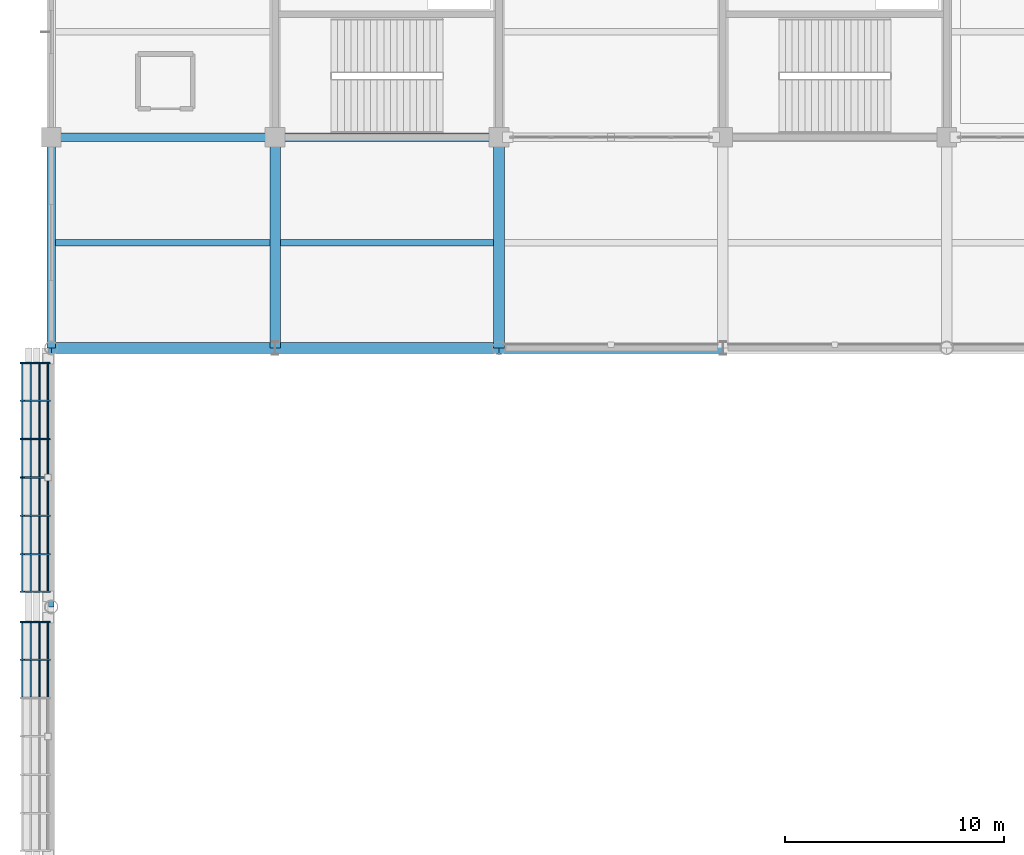
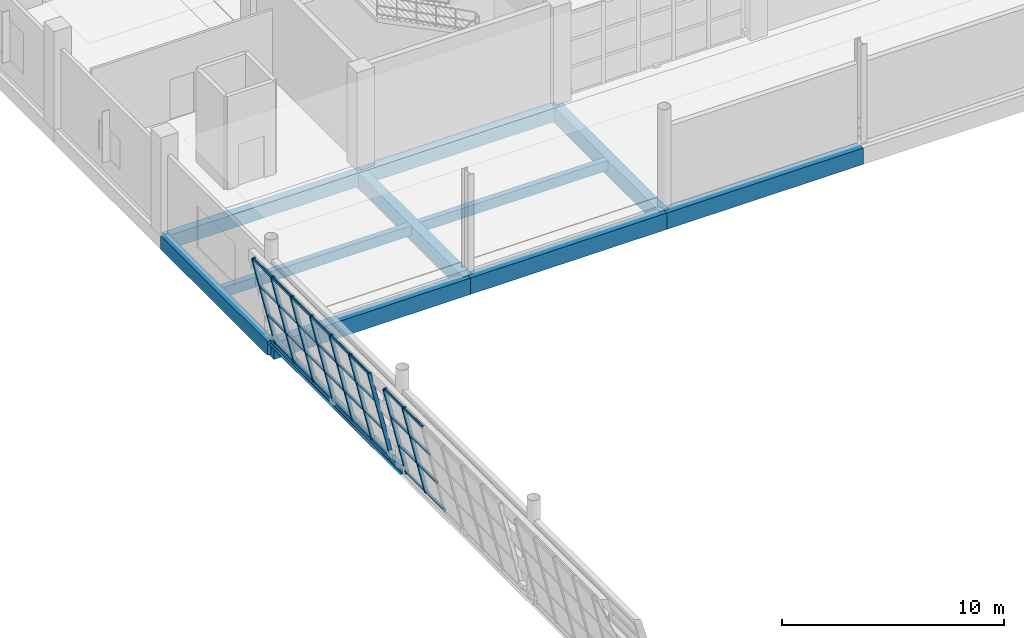
# One storey, part 33 of 175: 41 members, 11 beams, 2 elements without a shape of their own.
"""IFC4 building model written with IfcOpenShell, lengths in metres."""

from ifc_helpers import new_model, si_unit, direction, frame, origin, origin_2d, place, context, subcontext, project, spatial, rectangle, hollow_rectangle, i_section, extrude, material, material_profile, profile_set, type_object, element, aggregate, save


model = new_model("IFC4")

# Units and contexts
model_context = context("Model", 3, precision=1e-05, world=origin(), true_north=direction((0.0, 1.0)))
body_context = subcontext(model_context, "Body", "Model", "MODEL_VIEW")
ifc_project = project(units=[si_unit("LENGTHUNIT", "METRE"), si_unit("AREAUNIT", "SQUARE_METRE"), si_unit("VOLUMEUNIT", "CUBIC_METRE"), si_unit("PLANEANGLEUNIT", "RADIAN"), si_unit("MASSUNIT", "GRAM", prefix="KILO")], contexts=[model_context])

# Site, building, storey
site_placement = place(None, origin())
site = spatial("IfcSite", under=ifc_project, at=site_placement, CompositionType="ELEMENT")
building_placement = place(site_placement, origin())
building = spatial("IfcBuilding", under=site, at=building_placement, Name="Brelvane Convention Centre", CompositionType="ELEMENT")
storey_placement = place(building_placement, frame((0.0, 0.0, 5.39990234375)))
storey = spatial("IfcBuildingStorey", under=building, at=storey_placement, Name="L01", CompositionType="ELEMENT", Elevation=5.39990234375)

# Curtain wall, members
ifc_material_1 = material(Name="Anodised Aluminium Alloy 6063-T6", Category="aluminium")
curtain_wall_type = type_object("IfcCurtainWallType", Name="Curtain Wall CW-HULL-S", PredefinedType="USERDEFINED", material=ifc_material_1)
curtain_wall_1_placement = place(storey_placement, origin())
curtain_wall_1 = element("IfcCurtainWall", 1, at=curtain_wall_1_placement, inside=storey, type_object=curtain_wall_type, Name="Curtain Wall CW-HULL-S L01-HULL-W-L01-5", ObjectType="UNITISED", PredefinedType="USERDEFINED")
ifc_material_2 = material(Name="Anodised Aluminium Alloy 6063-T6", Category="aluminium")
ifc_material_profile_1 = material_profile(ifc_material_2, hollow_rectangle(XDim=0.074951171875, YDim=0.199951171875, WallThickness=0.0048828125, InnerFilletRadius=0.0048828125, OuterFilletRadius=0.010009765625, at=origin_2d()), Name="ALU-M 200x75x5.0")
ifc_profile_set_1 = profile_set([ifc_material_profile_1], Name="Anodised Aluminium Alloy 6063-T6")
member_type_1 = type_object("IfcMemberType", Name="Curtain Mullion CW-M2", PredefinedType="MULLION", material=ifc_profile_set_1)
member_1_placement = place(storey_placement, frame((-0.139892578125, 85.39990234375, 0.02001953125), z_axis=(-0.228384734386, 0.0, 0.973570959458), x_axis=(0.0, -1.0, 0.0)))
member_1 = element("IfcMember", 2, at=member_1_placement, type_object=member_type_1, Name="CW-HULL-S mullion 6", PredefinedType="MULLION", context=body_context, shape_type="SweptSolid", body=[
    extrude(hollow_rectangle(XDim=0.074951171875, YDim=0.199951171875, WallThickness=0.0048828125, InnerFilletRadius=0.0048828125, OuterFilletRadius=0.010009765625, at=origin_2d()), origin(), (0.0, 0.0, 1.0), 5.197509765625),
])
member_2_placement = place(storey_placement, frame((-0.139892578125, 87.112548828125, 0.02001953125), z_axis=(-0.228384734386, 0.0, 0.973570959458), x_axis=(0.0, -1.0, 0.0)))
member_2 = element("IfcMember", 3, at=member_2_placement, type_object=member_type_1, Name="CW-HULL-S mullion 7", PredefinedType="MULLION", context=body_context, shape_type="SweptSolid", body=[
    extrude(hollow_rectangle(XDim=0.074951171875, YDim=0.199951171875, WallThickness=0.0048828125, InnerFilletRadius=0.0048828125, OuterFilletRadius=0.010009765625, at=origin_2d()), origin(), (0.0, 0.0, 1.0), 5.197509765625),
])

curtain_wall_2_placement = place(storey_placement, origin())
curtain_wall_2 = element("IfcCurtainWall", 4, at=curtain_wall_2_placement, inside=storey, type_object=curtain_wall_type, Name="Curtain Wall CW-HULL-S L01-HULL-W-L01-6", ObjectType="UNITISED", PredefinedType="USERDEFINED")
member_3_placement = place(storey_placement, frame((-0.139892578125, 88.487548828125, 0.02001953125), z_axis=(-0.228384734386, 0.0, 0.973570959458), x_axis=(0.0, -1.0, 0.0)))
member_3 = element("IfcMember", 5, at=member_3_placement, type_object=member_type_1, Name="CW-HULL-S mullion 1", PredefinedType="MULLION", context=body_context, shape_type="SweptSolid", body=[
    extrude(hollow_rectangle(XDim=0.074951171875, YDim=0.199951171875, WallThickness=0.0048828125, InnerFilletRadius=0.0048828125, OuterFilletRadius=0.010009765625, at=origin_2d()), origin(), (0.0, 0.0, 1.0), 5.197509765625),
])
member_4_placement = place(storey_placement, frame((-0.139892578125, 90.199951171875, 0.02001953125), z_axis=(-0.228384734386, 0.0, 0.973570959458), x_axis=(0.0, -1.0, 0.0)))
member_4 = element("IfcMember", 6, at=member_4_placement, type_object=member_type_1, Name="CW-HULL-S mullion 2", PredefinedType="MULLION", context=body_context, shape_type="SweptSolid", body=[
    extrude(hollow_rectangle(XDim=0.074951171875, YDim=0.199951171875, WallThickness=0.0048828125, InnerFilletRadius=0.0048828125, OuterFilletRadius=0.010009765625, at=origin_2d()), origin(), (0.0, 0.0, 1.0), 5.197509765625),
])
member_5_placement = place(storey_placement, frame((-0.139892578125, 91.949951171875, 0.02001953125), z_axis=(-0.228384734386, 0.0, 0.973570959458), x_axis=(0.0, -1.0, 0.0)))
member_5 = element("IfcMember", 7, at=member_5_placement, type_object=member_type_1, Name="CW-HULL-S mullion 3", PredefinedType="MULLION", context=body_context, shape_type="SweptSolid", body=[
    extrude(hollow_rectangle(XDim=0.074951171875, YDim=0.199951171875, WallThickness=0.0048828125, InnerFilletRadius=0.0048828125, OuterFilletRadius=0.010009765625, at=origin_2d()), origin(), (0.0, 0.0, 1.0), 5.197509765625),
])
member_6_placement = place(storey_placement, frame((-0.139892578125, 93.699951171875, 0.02001953125), z_axis=(-0.228384734386, 0.0, 0.973570959458), x_axis=(0.0, -1.0, 0.0)))
member_6 = element("IfcMember", 8, at=member_6_placement, type_object=member_type_1, Name="CW-HULL-S mullion 4", PredefinedType="MULLION", context=body_context, shape_type="SweptSolid", body=[
    extrude(hollow_rectangle(XDim=0.074951171875, YDim=0.199951171875, WallThickness=0.0048828125, InnerFilletRadius=0.0048828125, OuterFilletRadius=0.010009765625, at=origin_2d()), origin(), (0.0, 0.0, 1.0), 5.197509765625),
])
member_7_placement = place(storey_placement, frame((-0.139892578125, 95.449951171875, 0.02001953125), z_axis=(-0.228384734386, 0.0, 0.973570959458), x_axis=(0.0, -1.0, 0.0)))
member_7 = element("IfcMember", 9, at=member_7_placement, type_object=member_type_1, Name="CW-HULL-S mullion 5", PredefinedType="MULLION", context=body_context, shape_type="SweptSolid", body=[
    extrude(hollow_rectangle(XDim=0.074951171875, YDim=0.199951171875, WallThickness=0.0048828125, InnerFilletRadius=0.0048828125, OuterFilletRadius=0.010009765625, at=origin_2d()), origin(), (0.0, 0.0, 1.0), 5.197509765625),
])
member_8_placement = place(storey_placement, frame((-0.139892578125, 97.199951171875, 0.02001953125), z_axis=(-0.228384734386, 0.0, 0.973570959458), x_axis=(0.0, -1.0, 0.0)))
member_8 = element("IfcMember", 10, at=member_8_placement, type_object=member_type_1, Name="CW-HULL-S mullion 6", PredefinedType="MULLION", context=body_context, shape_type="SweptSolid", body=[
    extrude(hollow_rectangle(XDim=0.074951171875, YDim=0.199951171875, WallThickness=0.0048828125, InnerFilletRadius=0.0048828125, OuterFilletRadius=0.010009765625, at=origin_2d()), origin(), (0.0, 0.0, 1.0), 5.197509765625),
])
member_9_placement = place(storey_placement, frame((-0.139892578125, 98.91259765625, 0.02001953125), z_axis=(-0.228384734386, 0.0, 0.973570959458), x_axis=(0.0, -1.0, 0.0)))
member_9 = element("IfcMember", 11, at=member_9_placement, type_object=member_type_1, Name="CW-HULL-S mullion 7", PredefinedType="MULLION", context=body_context, shape_type="SweptSolid", body=[
    extrude(hollow_rectangle(XDim=0.074951171875, YDim=0.199951171875, WallThickness=0.0048828125, InnerFilletRadius=0.0048828125, OuterFilletRadius=0.010009765625, at=origin_2d()), origin(), (0.0, 0.0, 1.0), 5.197509765625),
])

# Member
ifc_material_3 = material(Name="Anodised Aluminium Alloy 6063-T6", Category="aluminium")
ifc_material_profile_2 = material_profile(ifc_material_3, hollow_rectangle(XDim=0.070068359375, YDim=0.14990234375, WallThickness=0.00439453125, InnerFilletRadius=0.00439453125, OuterFilletRadius=0.009033203125, at=origin_2d()), Name="ALU-T 150x70x4.5")
ifc_profile_set_2 = profile_set([ifc_material_profile_2], Name="Anodised Aluminium Alloy 6063-T6")
member_type_2 = type_object("IfcMemberType", Name="Curtain Transom CW-T2", PredefinedType="USERDEFINED", material=ifc_profile_set_2)
member_10_placement = place(storey_placement, frame((-0.148193359375, 83.6875, 0.05517578125), z_axis=(0.0, 1.0, 0.0), x_axis=(-1.0, 0.0, 0.0)))
member_10 = element("IfcMember", 12, at=member_10_placement, type_object=member_type_2, Name="CW-HULL-S transom 5.1", ObjectType="TRANSOM", PredefinedType="USERDEFINED", context=body_context, shape_type="SweptSolid", body=[
    extrude(hollow_rectangle(XDim=0.070068359375, YDim=0.14990234375, WallThickness=0.00439453125, InnerFilletRadius=0.00439453125, OuterFilletRadius=0.009033203125, at=origin_2d()), origin(), (0.0, 0.0, 1.0), 1.675048828125),
])

member_11_placement = place(storey_placement, frame((-0.53564453125, 83.6875, 1.706787109375), z_axis=(0.0, 1.0, 0.0), x_axis=(-1.0, 0.0, 0.0)))
member_11 = element("IfcMember", 13, at=member_11_placement, type_object=member_type_2, Name="CW-HULL-S transom 5.2", ObjectType="TRANSOM", PredefinedType="USERDEFINED", context=body_context, shape_type="SweptSolid", body=[
    extrude(hollow_rectangle(XDim=0.070068359375, YDim=0.14990234375, WallThickness=0.00439453125, InnerFilletRadius=0.00439453125, OuterFilletRadius=0.009033203125, at=origin_2d()), origin(), (0.0, 0.0, 1.0), 1.675048828125),
])

member_12_placement = place(storey_placement, frame((-0.93115234375, 83.6875, 3.393310546875), z_axis=(0.0, 1.0, 0.0), x_axis=(-1.0, 0.0, 0.0)))
member_12 = element("IfcMember", 14, at=member_12_placement, type_object=member_type_2, Name="CW-HULL-S transom 5.3", ObjectType="TRANSOM", PredefinedType="USERDEFINED", context=body_context, shape_type="SweptSolid", body=[
    extrude(hollow_rectangle(XDim=0.070068359375, YDim=0.14990234375, WallThickness=0.00439453125, InnerFilletRadius=0.00439453125, OuterFilletRadius=0.009033203125, at=origin_2d()), origin(), (0.0, 0.0, 1.0), 1.675048828125),
])

member_13_placement = place(storey_placement, frame((-1.318603515625, 83.6875, 5.045166015625), z_axis=(0.0, 1.0, 0.0), x_axis=(-1.0, 0.0, 0.0)))
member_13 = element("IfcMember", 15, at=member_13_placement, type_object=member_type_2, Name="CW-HULL-S transom 5.4", ObjectType="TRANSOM", PredefinedType="USERDEFINED", context=body_context, shape_type="SweptSolid", body=[
    extrude(hollow_rectangle(XDim=0.070068359375, YDim=0.14990234375, WallThickness=0.00439453125, InnerFilletRadius=0.00439453125, OuterFilletRadius=0.009033203125, at=origin_2d()), origin(), (0.0, 0.0, 1.0), 1.675048828125),
])

member_14_placement = place(storey_placement, frame((-0.148193359375, 85.4375, 0.05517578125), z_axis=(0.0, 1.0, 0.0), x_axis=(-1.0, 0.0, 0.0)))
member_14 = element("IfcMember", 16, at=member_14_placement, type_object=member_type_2, Name="CW-HULL-S transom 6.1", ObjectType="TRANSOM", PredefinedType="USERDEFINED", context=body_context, shape_type="SweptSolid", body=[
    extrude(hollow_rectangle(XDim=0.070068359375, YDim=0.14990234375, WallThickness=0.00439453125, InnerFilletRadius=0.00439453125, OuterFilletRadius=0.009033203125, at=origin_2d()), origin(), (0.0, 0.0, 1.0), 1.637451171875),
])

member_15_placement = place(storey_placement, frame((-0.53564453125, 85.4375, 1.706787109375), z_axis=(0.0, 1.0, 0.0), x_axis=(-1.0, 0.0, 0.0)))
member_15 = element("IfcMember", 17, at=member_15_placement, type_object=member_type_2, Name="CW-HULL-S transom 6.2", ObjectType="TRANSOM", PredefinedType="USERDEFINED", context=body_context, shape_type="SweptSolid", body=[
    extrude(hollow_rectangle(XDim=0.070068359375, YDim=0.14990234375, WallThickness=0.00439453125, InnerFilletRadius=0.00439453125, OuterFilletRadius=0.009033203125, at=origin_2d()), origin(), (0.0, 0.0, 1.0), 1.637451171875),
])

member_16_placement = place(storey_placement, frame((-0.93115234375, 85.4375, 3.393310546875), z_axis=(0.0, 1.0, 0.0), x_axis=(-1.0, 0.0, 0.0)))
member_16 = element("IfcMember", 18, at=member_16_placement, type_object=member_type_2, Name="CW-HULL-S transom 6.3", ObjectType="TRANSOM", PredefinedType="USERDEFINED", context=body_context, shape_type="SweptSolid", body=[
    extrude(hollow_rectangle(XDim=0.070068359375, YDim=0.14990234375, WallThickness=0.00439453125, InnerFilletRadius=0.00439453125, OuterFilletRadius=0.009033203125, at=origin_2d()), origin(), (0.0, 0.0, 1.0), 1.637451171875),
])

member_17_placement = place(storey_placement, frame((-1.318603515625, 85.4375, 5.045166015625), z_axis=(0.0, 1.0, 0.0), x_axis=(-1.0, 0.0, 0.0)))
member_17 = element("IfcMember", 19, at=member_17_placement, type_object=member_type_2, Name="CW-HULL-S transom 6.4", ObjectType="TRANSOM", PredefinedType="USERDEFINED", context=body_context, shape_type="SweptSolid", body=[
    extrude(hollow_rectangle(XDim=0.070068359375, YDim=0.14990234375, WallThickness=0.00439453125, InnerFilletRadius=0.00439453125, OuterFilletRadius=0.009033203125, at=origin_2d()), origin(), (0.0, 0.0, 1.0), 1.637451171875),
])

aggregate(curtain_wall_1, [member_1, member_2, member_10, member_11, member_12, member_13, member_14, member_15, member_16, member_17])

member_18_placement = place(storey_placement, frame((-0.148193359375, 88.52490234375, 0.05517578125), z_axis=(0.0, 1.0, 0.0), x_axis=(-1.0, 0.0, 0.0)))
member_18 = element("IfcMember", 20, at=member_18_placement, type_object=member_type_2, Name="CW-HULL-S transom 1.1", ObjectType="TRANSOM", PredefinedType="USERDEFINED", context=body_context, shape_type="SweptSolid", body=[
    extrude(hollow_rectangle(XDim=0.070068359375, YDim=0.14990234375, WallThickness=0.00439453125, InnerFilletRadius=0.00439453125, OuterFilletRadius=0.009033203125, at=origin_2d()), origin(), (0.0, 0.0, 1.0), 1.6376953125),
])

member_19_placement = place(storey_placement, frame((-0.53564453125, 88.52490234375, 1.706787109375), z_axis=(0.0, 1.0, 0.0), x_axis=(-1.0, 0.0, 0.0)))
member_19 = element("IfcMember", 21, at=member_19_placement, type_object=member_type_2, Name="CW-HULL-S transom 1.2", ObjectType="TRANSOM", PredefinedType="USERDEFINED", context=body_context, shape_type="SweptSolid", body=[
    extrude(hollow_rectangle(XDim=0.070068359375, YDim=0.14990234375, WallThickness=0.00439453125, InnerFilletRadius=0.00439453125, OuterFilletRadius=0.009033203125, at=origin_2d()), origin(), (0.0, 0.0, 1.0), 1.6376953125),
])

member_20_placement = place(storey_placement, frame((-0.93115234375, 88.52490234375, 3.393310546875), z_axis=(0.0, 1.0, 0.0), x_axis=(-1.0, 0.0, 0.0)))
member_20 = element("IfcMember", 22, at=member_20_placement, type_object=member_type_2, Name="CW-HULL-S transom 1.3", ObjectType="TRANSOM", PredefinedType="USERDEFINED", context=body_context, shape_type="SweptSolid", body=[
    extrude(hollow_rectangle(XDim=0.070068359375, YDim=0.14990234375, WallThickness=0.00439453125, InnerFilletRadius=0.00439453125, OuterFilletRadius=0.009033203125, at=origin_2d()), origin(), (0.0, 0.0, 1.0), 1.6376953125),
])

member_21_placement = place(storey_placement, frame((-1.318603515625, 88.52490234375, 5.045166015625), z_axis=(0.0, 1.0, 0.0), x_axis=(-1.0, 0.0, 0.0)))
member_21 = element("IfcMember", 23, at=member_21_placement, type_object=member_type_2, Name="CW-HULL-S transom 1.4", ObjectType="TRANSOM", PredefinedType="USERDEFINED", context=body_context, shape_type="SweptSolid", body=[
    extrude(hollow_rectangle(XDim=0.070068359375, YDim=0.14990234375, WallThickness=0.00439453125, InnerFilletRadius=0.00439453125, OuterFilletRadius=0.009033203125, at=origin_2d()), origin(), (0.0, 0.0, 1.0), 1.6376953125),
])

member_22_placement = place(storey_placement, frame((-0.148193359375, 90.237548828125, 0.05517578125), z_axis=(0.0, 1.0, 0.0), x_axis=(-1.0, 0.0, 0.0)))
member_22 = element("IfcMember", 24, at=member_22_placement, type_object=member_type_2, Name="CW-HULL-S transom 2.1", ObjectType="TRANSOM", PredefinedType="USERDEFINED", context=body_context, shape_type="SweptSolid", body=[
    extrude(hollow_rectangle(XDim=0.070068359375, YDim=0.14990234375, WallThickness=0.00439453125, InnerFilletRadius=0.00439453125, OuterFilletRadius=0.009033203125, at=origin_2d()), origin(), (0.0, 0.0, 1.0), 1.675048828125),
])

member_23_placement = place(storey_placement, frame((-0.53564453125, 90.237548828125, 1.706787109375), z_axis=(0.0, 1.0, 0.0), x_axis=(-1.0, 0.0, 0.0)))
member_23 = element("IfcMember", 25, at=member_23_placement, type_object=member_type_2, Name="CW-HULL-S transom 2.2", ObjectType="TRANSOM", PredefinedType="USERDEFINED", context=body_context, shape_type="SweptSolid", body=[
    extrude(hollow_rectangle(XDim=0.070068359375, YDim=0.14990234375, WallThickness=0.00439453125, InnerFilletRadius=0.00439453125, OuterFilletRadius=0.009033203125, at=origin_2d()), origin(), (0.0, 0.0, 1.0), 1.675048828125),
])

member_24_placement = place(storey_placement, frame((-0.93115234375, 90.237548828125, 3.393310546875), z_axis=(0.0, 1.0, 0.0), x_axis=(-1.0, 0.0, 0.0)))
member_24 = element("IfcMember", 26, at=member_24_placement, type_object=member_type_2, Name="CW-HULL-S transom 2.3", ObjectType="TRANSOM", PredefinedType="USERDEFINED", context=body_context, shape_type="SweptSolid", body=[
    extrude(hollow_rectangle(XDim=0.070068359375, YDim=0.14990234375, WallThickness=0.00439453125, InnerFilletRadius=0.00439453125, OuterFilletRadius=0.009033203125, at=origin_2d()), origin(), (0.0, 0.0, 1.0), 1.675048828125),
])

member_25_placement = place(storey_placement, frame((-1.318603515625, 90.237548828125, 5.045166015625), z_axis=(0.0, 1.0, 0.0), x_axis=(-1.0, 0.0, 0.0)))
member_25 = element("IfcMember", 27, at=member_25_placement, type_object=member_type_2, Name="CW-HULL-S transom 2.4", ObjectType="TRANSOM", PredefinedType="USERDEFINED", context=body_context, shape_type="SweptSolid", body=[
    extrude(hollow_rectangle(XDim=0.070068359375, YDim=0.14990234375, WallThickness=0.00439453125, InnerFilletRadius=0.00439453125, OuterFilletRadius=0.009033203125, at=origin_2d()), origin(), (0.0, 0.0, 1.0), 1.675048828125),
])

member_26_placement = place(storey_placement, frame((-0.148193359375, 91.987548828125, 0.05517578125), z_axis=(0.0, 1.0, 0.0), x_axis=(-1.0, 0.0, 0.0)))
member_26 = element("IfcMember", 28, at=member_26_placement, type_object=member_type_2, Name="CW-HULL-S transom 3.1", ObjectType="TRANSOM", PredefinedType="USERDEFINED", context=body_context, shape_type="SweptSolid", body=[
    extrude(hollow_rectangle(XDim=0.070068359375, YDim=0.14990234375, WallThickness=0.00439453125, InnerFilletRadius=0.00439453125, OuterFilletRadius=0.009033203125, at=origin_2d()), origin(), (0.0, 0.0, 1.0), 1.675048828125),
])

member_27_placement = place(storey_placement, frame((-0.53564453125, 91.987548828125, 1.706787109375), z_axis=(0.0, 1.0, 0.0), x_axis=(-1.0, 0.0, 0.0)))
member_27 = element("IfcMember", 29, at=member_27_placement, type_object=member_type_2, Name="CW-HULL-S transom 3.2", ObjectType="TRANSOM", PredefinedType="USERDEFINED", context=body_context, shape_type="SweptSolid", body=[
    extrude(hollow_rectangle(XDim=0.070068359375, YDim=0.14990234375, WallThickness=0.00439453125, InnerFilletRadius=0.00439453125, OuterFilletRadius=0.009033203125, at=origin_2d()), origin(), (0.0, 0.0, 1.0), 1.675048828125),
])

member_28_placement = place(storey_placement, frame((-0.93115234375, 91.987548828125, 3.393310546875), z_axis=(0.0, 1.0, 0.0), x_axis=(-1.0, 0.0, 0.0)))
member_28 = element("IfcMember", 30, at=member_28_placement, type_object=member_type_2, Name="CW-HULL-S transom 3.3", ObjectType="TRANSOM", PredefinedType="USERDEFINED", context=body_context, shape_type="SweptSolid", body=[
    extrude(hollow_rectangle(XDim=0.070068359375, YDim=0.14990234375, WallThickness=0.00439453125, InnerFilletRadius=0.00439453125, OuterFilletRadius=0.009033203125, at=origin_2d()), origin(), (0.0, 0.0, 1.0), 1.675048828125),
])

member_29_placement = place(storey_placement, frame((-1.318603515625, 91.987548828125, 5.045166015625), z_axis=(0.0, 1.0, 0.0), x_axis=(-1.0, 0.0, 0.0)))
member_29 = element("IfcMember", 31, at=member_29_placement, type_object=member_type_2, Name="CW-HULL-S transom 3.4", ObjectType="TRANSOM", PredefinedType="USERDEFINED", context=body_context, shape_type="SweptSolid", body=[
    extrude(hollow_rectangle(XDim=0.070068359375, YDim=0.14990234375, WallThickness=0.00439453125, InnerFilletRadius=0.00439453125, OuterFilletRadius=0.009033203125, at=origin_2d()), origin(), (0.0, 0.0, 1.0), 1.675048828125),
])

member_30_placement = place(storey_placement, frame((-0.148193359375, 93.737548828125, 0.05517578125), z_axis=(0.0, 1.0, 0.0), x_axis=(-1.0, 0.0, 0.0)))
member_30 = element("IfcMember", 32, at=member_30_placement, type_object=member_type_2, Name="CW-HULL-S transom 4.1", ObjectType="TRANSOM", PredefinedType="USERDEFINED", context=body_context, shape_type="SweptSolid", body=[
    extrude(hollow_rectangle(XDim=0.070068359375, YDim=0.14990234375, WallThickness=0.00439453125, InnerFilletRadius=0.00439453125, OuterFilletRadius=0.009033203125, at=origin_2d()), origin(), (0.0, 0.0, 1.0), 1.675048828125),
])

member_31_placement = place(storey_placement, frame((-0.53564453125, 93.737548828125, 1.706787109375), z_axis=(0.0, 1.0, 0.0), x_axis=(-1.0, 0.0, 0.0)))
member_31 = element("IfcMember", 33, at=member_31_placement, type_object=member_type_2, Name="CW-HULL-S transom 4.2", ObjectType="TRANSOM", PredefinedType="USERDEFINED", context=body_context, shape_type="SweptSolid", body=[
    extrude(hollow_rectangle(XDim=0.070068359375, YDim=0.14990234375, WallThickness=0.00439453125, InnerFilletRadius=0.00439453125, OuterFilletRadius=0.009033203125, at=origin_2d()), origin(), (0.0, 0.0, 1.0), 1.675048828125),
])

member_32_placement = place(storey_placement, frame((-0.93115234375, 93.737548828125, 3.393310546875), z_axis=(0.0, 1.0, 0.0), x_axis=(-1.0, 0.0, 0.0)))
member_32 = element("IfcMember", 34, at=member_32_placement, type_object=member_type_2, Name="CW-HULL-S transom 4.3", ObjectType="TRANSOM", PredefinedType="USERDEFINED", context=body_context, shape_type="SweptSolid", body=[
    extrude(hollow_rectangle(XDim=0.070068359375, YDim=0.14990234375, WallThickness=0.00439453125, InnerFilletRadius=0.00439453125, OuterFilletRadius=0.009033203125, at=origin_2d()), origin(), (0.0, 0.0, 1.0), 1.675048828125),
])

member_33_placement = place(storey_placement, frame((-1.318603515625, 93.737548828125, 5.045166015625), z_axis=(0.0, 1.0, 0.0), x_axis=(-1.0, 0.0, 0.0)))
member_33 = element("IfcMember", 35, at=member_33_placement, type_object=member_type_2, Name="CW-HULL-S transom 4.4", ObjectType="TRANSOM", PredefinedType="USERDEFINED", context=body_context, shape_type="SweptSolid", body=[
    extrude(hollow_rectangle(XDim=0.070068359375, YDim=0.14990234375, WallThickness=0.00439453125, InnerFilletRadius=0.00439453125, OuterFilletRadius=0.009033203125, at=origin_2d()), origin(), (0.0, 0.0, 1.0), 1.675048828125),
])

member_34_placement = place(storey_placement, frame((-0.148193359375, 95.487548828125, 0.05517578125), z_axis=(0.0, 1.0, 0.0), x_axis=(-1.0, 0.0, 0.0)))
member_34 = element("IfcMember", 36, at=member_34_placement, type_object=member_type_2, Name="CW-HULL-S transom 5.1", ObjectType="TRANSOM", PredefinedType="USERDEFINED", context=body_context, shape_type="SweptSolid", body=[
    extrude(hollow_rectangle(XDim=0.070068359375, YDim=0.14990234375, WallThickness=0.00439453125, InnerFilletRadius=0.00439453125, OuterFilletRadius=0.009033203125, at=origin_2d()), origin(), (0.0, 0.0, 1.0), 1.675048828125),
])

member_35_placement = place(storey_placement, frame((-0.53564453125, 95.487548828125, 1.706787109375), z_axis=(0.0, 1.0, 0.0), x_axis=(-1.0, 0.0, 0.0)))
member_35 = element("IfcMember", 37, at=member_35_placement, type_object=member_type_2, Name="CW-HULL-S transom 5.2", ObjectType="TRANSOM", PredefinedType="USERDEFINED", context=body_context, shape_type="SweptSolid", body=[
    extrude(hollow_rectangle(XDim=0.070068359375, YDim=0.14990234375, WallThickness=0.00439453125, InnerFilletRadius=0.00439453125, OuterFilletRadius=0.009033203125, at=origin_2d()), origin(), (0.0, 0.0, 1.0), 1.675048828125),
])

member_36_placement = place(storey_placement, frame((-0.93115234375, 95.487548828125, 3.393310546875), z_axis=(0.0, 1.0, 0.0), x_axis=(-1.0, 0.0, 0.0)))
member_36 = element("IfcMember", 38, at=member_36_placement, type_object=member_type_2, Name="CW-HULL-S transom 5.3", ObjectType="TRANSOM", PredefinedType="USERDEFINED", context=body_context, shape_type="SweptSolid", body=[
    extrude(hollow_rectangle(XDim=0.070068359375, YDim=0.14990234375, WallThickness=0.00439453125, InnerFilletRadius=0.00439453125, OuterFilletRadius=0.009033203125, at=origin_2d()), origin(), (0.0, 0.0, 1.0), 1.675048828125),
])

member_37_placement = place(storey_placement, frame((-1.318603515625, 95.487548828125, 5.045166015625), z_axis=(0.0, 1.0, 0.0), x_axis=(-1.0, 0.0, 0.0)))
member_37 = element("IfcMember", 39, at=member_37_placement, type_object=member_type_2, Name="CW-HULL-S transom 5.4", ObjectType="TRANSOM", PredefinedType="USERDEFINED", context=body_context, shape_type="SweptSolid", body=[
    extrude(hollow_rectangle(XDim=0.070068359375, YDim=0.14990234375, WallThickness=0.00439453125, InnerFilletRadius=0.00439453125, OuterFilletRadius=0.009033203125, at=origin_2d()), origin(), (0.0, 0.0, 1.0), 1.675048828125),
])

member_38_placement = place(storey_placement, frame((-0.148193359375, 97.237548828125, 0.05517578125), z_axis=(0.0, 1.0, 0.0), x_axis=(-1.0, 0.0, 0.0)))
member_38 = element("IfcMember", 40, at=member_38_placement, type_object=member_type_2, Name="CW-HULL-S transom 6.1", ObjectType="TRANSOM", PredefinedType="USERDEFINED", context=body_context, shape_type="SweptSolid", body=[
    extrude(hollow_rectangle(XDim=0.070068359375, YDim=0.14990234375, WallThickness=0.00439453125, InnerFilletRadius=0.00439453125, OuterFilletRadius=0.009033203125, at=origin_2d()), origin(), (0.0, 0.0, 1.0), 1.637451171875),
])

member_39_placement = place(storey_placement, frame((-0.53564453125, 97.237548828125, 1.706787109375), z_axis=(0.0, 1.0, 0.0), x_axis=(-1.0, 0.0, 0.0)))
member_39 = element("IfcMember", 41, at=member_39_placement, type_object=member_type_2, Name="CW-HULL-S transom 6.2", ObjectType="TRANSOM", PredefinedType="USERDEFINED", context=body_context, shape_type="SweptSolid", body=[
    extrude(hollow_rectangle(XDim=0.070068359375, YDim=0.14990234375, WallThickness=0.00439453125, InnerFilletRadius=0.00439453125, OuterFilletRadius=0.009033203125, at=origin_2d()), origin(), (0.0, 0.0, 1.0), 1.637451171875),
])

member_40_placement = place(storey_placement, frame((-0.93115234375, 97.237548828125, 3.393310546875), z_axis=(0.0, 1.0, 0.0), x_axis=(-1.0, 0.0, 0.0)))
member_40 = element("IfcMember", 42, at=member_40_placement, type_object=member_type_2, Name="CW-HULL-S transom 6.3", ObjectType="TRANSOM", PredefinedType="USERDEFINED", context=body_context, shape_type="SweptSolid", body=[
    extrude(hollow_rectangle(XDim=0.070068359375, YDim=0.14990234375, WallThickness=0.00439453125, InnerFilletRadius=0.00439453125, OuterFilletRadius=0.009033203125, at=origin_2d()), origin(), (0.0, 0.0, 1.0), 1.637451171875),
])

member_41_placement = place(storey_placement, frame((-1.318603515625, 97.237548828125, 5.045166015625), z_axis=(0.0, 1.0, 0.0), x_axis=(-1.0, 0.0, 0.0)))
member_41 = element("IfcMember", 43, at=member_41_placement, type_object=member_type_2, Name="CW-HULL-S transom 6.4", ObjectType="TRANSOM", PredefinedType="USERDEFINED", context=body_context, shape_type="SweptSolid", body=[
    extrude(hollow_rectangle(XDim=0.070068359375, YDim=0.14990234375, WallThickness=0.00439453125, InnerFilletRadius=0.00439453125, OuterFilletRadius=0.009033203125, at=origin_2d()), origin(), (0.0, 0.0, 1.0), 1.637451171875),
])

aggregate(curtain_wall_2, [member_3, member_4, member_5, member_6, member_7, member_8, member_9, member_18, member_19, member_20, member_21, member_22, member_23, member_24, member_25, member_26, member_27, member_28, member_29, member_30, member_31, member_32, member_33, member_34, member_35, member_36, member_37, member_38, member_39, member_40, member_41])

# Beams
ifc_material_4 = material(Name="Concrete M40", Category="concrete")
ifc_material_profile_3 = material_profile(ifc_material_4, rectangle(XDim=0.47998046875, YDim=0.8798828125, at=origin_2d()), Name="RC 480x880")
ifc_profile_set_3 = profile_set([ifc_material_profile_3], Name="Concrete M40")
beam_type_1 = type_object("IfcBeamType", Name="RC Beam B-RC10 (RC 480x880)", PredefinedType="BEAM", material=ifc_profile_set_3)
for number, where, z_axis, x_axis, name in (
    (44, (10.199951171875, 99.60009765625, -0.760009765625), (0.0, 1.0, 0.0), (-1.0, 0.0, 0.0), "L01 Girder 2/K-L"),
    (45, (20.39990234375, 99.60009765625, -0.760009765625), (0.0, 1.0, 0.0), (-1.0, 0.0, 0.0), "L01 Girder 3/K-L"),
):
    element("IfcBeam", number, at=place(storey_placement, frame(where, z_axis=z_axis, x_axis=x_axis)), inside=storey, type_object=beam_type_1, Name=name, PredefinedType="BEAM", context=body_context, shape_type="SweptSolid", body=[
        extrude(rectangle(XDim=0.47998046875, YDim=0.8798828125, at=origin_2d()), origin(), (0.0, 0.0, 1.0), 9.599853515625),
    ])
ifc_material_5 = material(Name="Concrete M40", Category="concrete")
ifc_material_profile_4 = material_profile(ifc_material_5, rectangle(XDim=0.5, YDim=0.89990234375, at=origin_2d()), Name="RC 500x900")
ifc_profile_set_4 = profile_set([ifc_material_profile_4], Name="Concrete M40")
beam_type_2 = type_object("IfcBeamType", Name="RC Beam B-RC4 (RC 500x900)", PredefinedType="BEAM", material=ifc_profile_set_4)
for number, where, z_axis, x_axis, name in (
    (46, (0.0, 99.60009765625, -0.77001953125), (1.0, 0.0, 0.0), (0.0, 1.0, 0.0), "L01 Beam 1-2/K"),
    (47, (10.199951171875, 99.60009765625, -0.77001953125), (1.0, 0.0, 0.0), (0.0, 1.0, 0.0), "L01 Beam 2-3/K"),
):
    element("IfcBeam", number, at=place(storey_placement, frame(where, z_axis=z_axis, x_axis=x_axis)), inside=storey, type_object=beam_type_2, Name=name, PredefinedType="BEAM", context=body_context, shape_type="SweptSolid", body=[
        extrude(rectangle(XDim=0.5, YDim=0.89990234375, at=origin_2d()), origin(), (0.0, 0.0, 1.0), 10.199951171875),
    ])
beam_1_placement = place(storey_placement, frame((20.39990234375, 99.60009765625, -0.77001953125), z_axis=(1.0, 0.0, 0.0), x_axis=(0.0, 1.0, 0.0)))
element("IfcBeam", 48, at=beam_1_placement, inside=storey, type_object=beam_type_2, Name="L01 Beam 3-4/K", PredefinedType="BEAM", context=body_context, shape_type="SweptSolid", body=[
    extrude(rectangle(XDim=0.5, YDim=0.89990234375, at=origin_2d()), origin(), (0.0, 0.0, 1.0), 10.2001953125),
])
ifc_material_6 = material(Name="Concrete M40", Category="concrete")
ifc_material_profile_5 = material_profile(ifc_material_6, rectangle(XDim=0.300048828125, YDim=0.550048828125, at=origin_2d()), Name="RC 300x550")
ifc_profile_set_5 = profile_set([ifc_material_profile_5], Name="Concrete M40")
beam_type_3 = type_object("IfcBeamType", Name="RC Joist J-RC1 (RC 300x550)", PredefinedType="JOIST", material=ifc_profile_set_5)
beam_2_placement = place(storey_placement, frame((0.199951171875, 104.39990234375, -0.594970703125), z_axis=(1.0, 0.0, 0.0), x_axis=(0.0, 1.0, 0.0)))
element("IfcBeam", 49, at=beam_2_placement, inside=storey, type_object=beam_type_3, Name="L01 Secondary Joist 1-2/KL", PredefinedType="JOIST", context=body_context, shape_type="SweptSolid", body=[
    extrude(rectangle(XDim=0.300048828125, YDim=0.550048828125, at=origin_2d()), origin(), (0.0, 0.0, 1.0), 9.760009765625),
])
beam_3_placement = place(storey_placement, frame((10.43994140625, 104.39990234375, -0.594970703125), z_axis=(1.0, 0.0, 0.0), x_axis=(0.0, 1.0, 0.0)))
element("IfcBeam", 50, at=beam_3_placement, inside=storey, type_object=beam_type_3, Name="L01 Secondary Joist 2-3/KL", PredefinedType="JOIST", context=body_context, shape_type="SweptSolid", body=[
    extrude(rectangle(XDim=0.300048828125, YDim=0.550048828125, at=origin_2d()), origin(), (0.0, 0.0, 1.0), 9.719970703125),
])
ifc_material_7 = material(Name="Concrete M40", Category="concrete")
ifc_material_profile_6 = material_profile(ifc_material_7, rectangle(XDim=0.39990234375, YDim=0.75, at=origin_2d()), Name="RC 400x750")
ifc_profile_set_6 = profile_set([ifc_material_profile_6], Name="Concrete M40")
beam_type_4 = type_object("IfcBeamType", Name="RC Spandrel SP-RC1 (RC 400x750)", PredefinedType="SPANDREL", material=ifc_profile_set_6)
for number, where, z_axis, x_axis, name in (
    (51, (0.0, 109.199951171875, -0.69482421875), (1.0, 0.0, 0.0), (0.0, 1.0, 0.0), "L01 Beam 1-2/L"),
    (52, (10.199951171875, 109.199951171875, -0.69482421875), (1.0, 0.0, 0.0), (0.0, 1.0, 0.0), "L01 Beam 2-3/L"),
):
    element("IfcBeam", number, at=place(storey_placement, frame(where, z_axis=z_axis, x_axis=x_axis)), inside=storey, type_object=beam_type_4, Name=name, PredefinedType="SPANDREL", context=body_context, shape_type="SweptSolid", body=[
        extrude(rectangle(XDim=0.39990234375, YDim=0.75, at=origin_2d()), origin(), (0.0, 0.0, 1.0), 10.199951171875),
    ])
beam_4_placement = place(storey_placement, frame((0.0, 99.60009765625, -0.69482421875), z_axis=(0.0, 1.0, 0.0), x_axis=(-1.0, 0.0, 0.0)))
element("IfcBeam", 53, at=beam_4_placement, inside=storey, type_object=beam_type_4, Name="L01 Girder 1/K-L", PredefinedType="SPANDREL", context=body_context, shape_type="SweptSolid", body=[
    extrude(rectangle(XDim=0.39990234375, YDim=0.75, at=origin_2d()), origin(), (0.0, 0.0, 1.0), 9.599853515625),
])
ifc_material_8 = material(Name="Steel E350 (350 MPa)", Category="steel")
ifc_material_profile_7 = material_profile(ifc_material_8, i_section(OverallWidth=0.25, OverallDepth=0.5, WebThickness=0.010009765625, FlangeThickness=0.0146484375, FilletRadius=0.01611328125, at=origin_2d()), Name="ISWB 500")
ifc_profile_set_7 = profile_set([ifc_material_profile_7], Name="Steel E350 (350 MPa)")
beam_type_5 = type_object("IfcBeamType", Name="Steel Spandrel SP-ST1 (ISWB 500)", PredefinedType="SPANDREL", material=ifc_profile_set_7)
beam_5_placement = place(storey_placement, frame((0.0, 87.800048828125, -0.25), z_axis=(0.0, 1.0, 0.0), x_axis=(-1.0, 0.0, 0.0)))
element("IfcBeam", 54, at=beam_5_placement, inside=storey, type_object=beam_type_5, Name="West Hull Wall Girt L01-6", PredefinedType="SPANDREL", context=body_context, shape_type="SweptSolid", body=[
    extrude(i_section(OverallWidth=0.25, OverallDepth=0.5, WebThickness=0.010009765625, FlangeThickness=0.0146484375, FilletRadius=0.01611328125, at=origin_2d()), origin(), (0.0, 0.0, 1.0), 11.800048828125),
])

save(model, "model.ifc")
